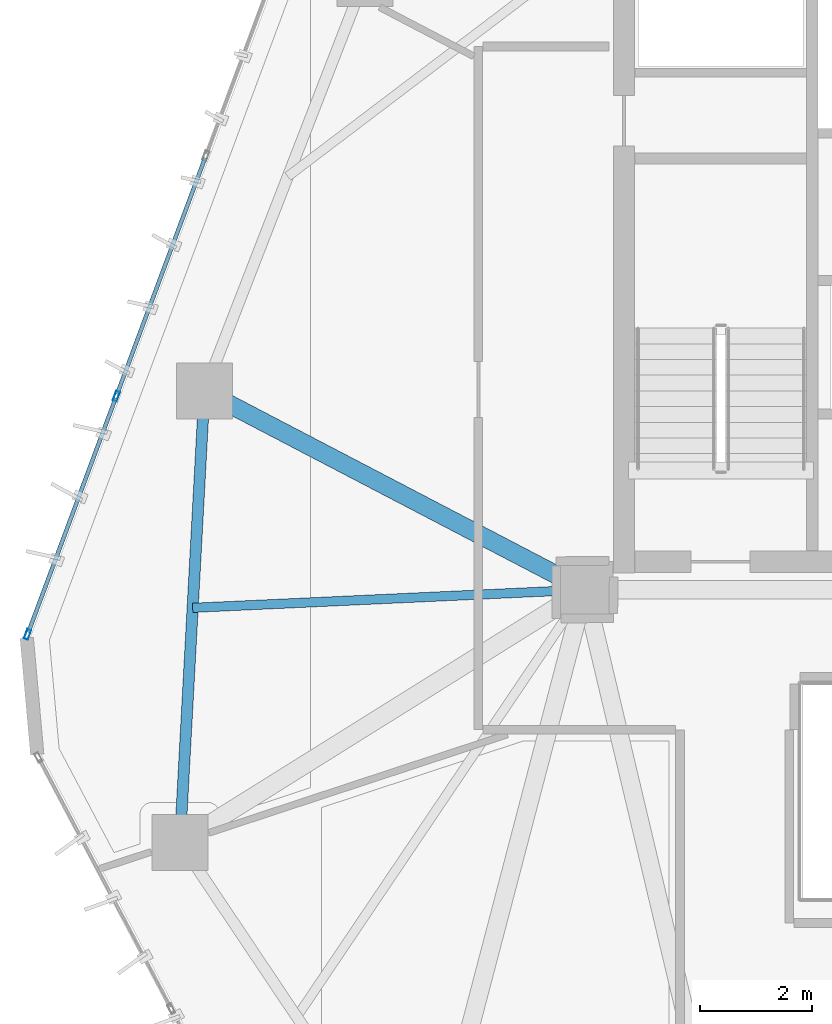
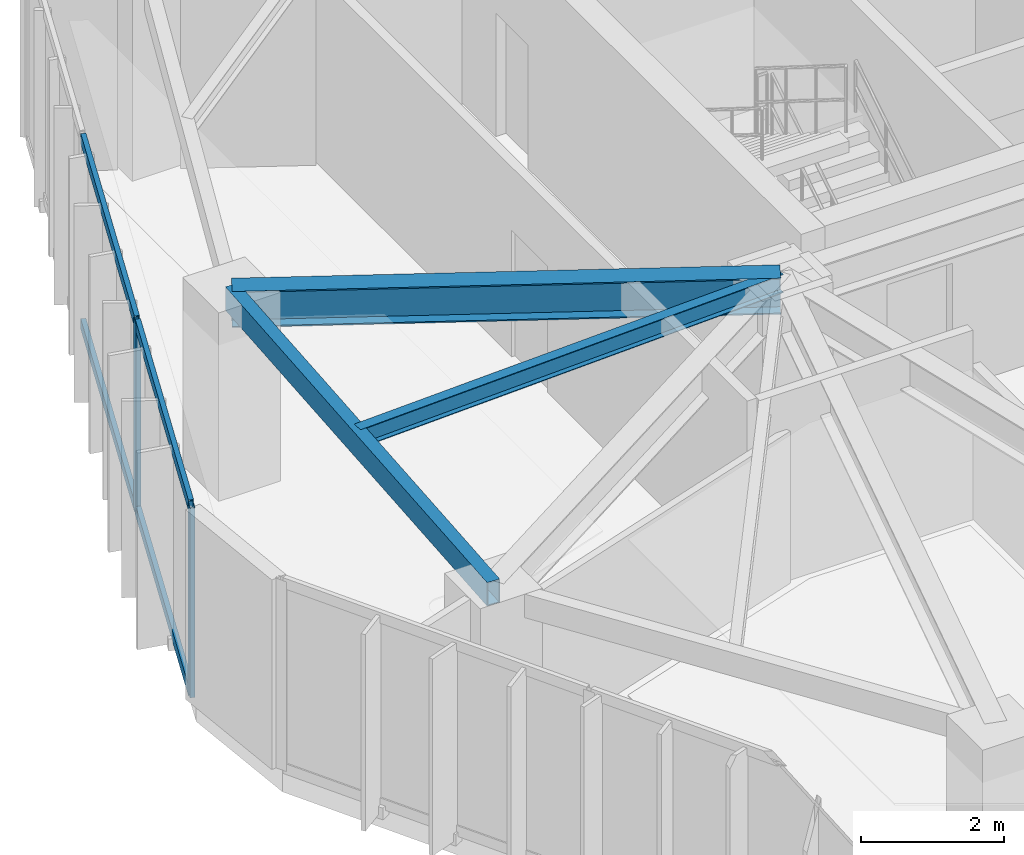
# One storey, part 8 of 18: 6 members, 3 beams, 1 element without a shape of its own.
"""IFC4 building model written with IfcOpenShell, lengths in metres."""

from ifc_helpers import new_model, si_unit, direction, frame, origin, origin_2d, place, context, subcontext, project, spatial, hollow_rectangle, i_section, extrude, source, transform, mapped, material, layer, layer_set, material_profile, profile_set, type_object, type_shapes, element, aggregate, save


model = new_model("IFC4")

# Units and contexts
model_context = context("Model", 3, precision=1e-05, world=origin(), true_north=direction((0.0, 1.0)))
body_context = subcontext(model_context, "Body", "Model", "MODEL_VIEW")
ifc_project = project(units=[si_unit("LENGTHUNIT", "METRE"), si_unit("AREAUNIT", "SQUARE_METRE"), si_unit("VOLUMEUNIT", "CUBIC_METRE"), si_unit("PLANEANGLEUNIT", "RADIAN"), si_unit("MASSUNIT", "GRAM", prefix="KILO")], contexts=[model_context])

# Site, building, storey
site_placement = place(None, origin())
site = spatial("IfcSite", under=ifc_project, at=site_placement, CompositionType="ELEMENT")
building_placement = place(site_placement, origin())
building = spatial("IfcBuilding", under=site, at=building_placement, Name="Talar Marvaseh", CompositionType="ELEMENT")
storey_placement = place(building_placement, frame((0.0, 0.0, 167.0)))
storey = spatial("IfcBuildingStorey", under=building, at=storey_placement, Name="L43", CompositionType="ELEMENT", Elevation=167.0)

# Beams
ifc_material_1 = material(Name="Steel S355", Category="steel")
ifc_material_profile_1 = material_profile(ifc_material_1, hollow_rectangle(XDim=0.199951171875, YDim=0.39990234375, WallThickness=0.013916015625, at=origin_2d()), Name="RHS400x200x14")
ifc_profile_set_1 = profile_set([ifc_material_profile_1], Name="Steel S355")
beam_type_1 = type_object("IfcBeamType", Name="Zone 3 Perimeter Spandrel Beam RHS400x200x14", PredefinedType="SPANDREL", material=ifc_profile_set_1)
beam_1_placement = place(storey_placement, frame((11.471923828125, 20.986083984375, 3.030029296875), z_axis=(0.054148078426, 0.998532916635, 0.0), x_axis=(-0.998532916635, 0.054148078426, 0.0)))
element("IfcBeam", 1, at=beam_1_placement, inside=storey, type_object=beam_type_1, Name="L43 Zone 3 Perimeter Spandrel Beam RHS400x200x14", PredefinedType="SPANDREL", context=body_context, shape_type="SweptSolid", body=[
    extrude(hollow_rectangle(XDim=0.199951171875, YDim=0.39990234375, WallThickness=0.013916015625, at=origin_2d()), origin(), (0.0, 0.0, 1.0), 8.070556640625),
])
ifc_material_profile_2 = material_profile(ifc_material_1, i_section(OverallWidth=0.324951171875, OverallDepth=0.615966796875, WebThickness=0.013916015625, FlangeThickness=0.021484375, at=origin_2d()), Name="W610x174")
ifc_profile_set_2 = profile_set([ifc_material_profile_2], Name="Steel S355")
beam_type_2 = type_object("IfcBeamType", Name="Zone 3 Radial Floor Girder W610x174", PredefinedType="BEAM", material=ifc_profile_set_2)
beam_2_placement = place(storey_placement, frame((11.908935546875, 29.044921875, 2.922119140625), z_axis=(0.886489360055, -0.462748975697, 0.0), x_axis=(0.462748975697, 0.886489360055, 0.0)))
element("IfcBeam", 2, at=beam_2_placement, inside=storey, type_object=beam_type_2, Name="L43 Zone 3 Radial Floor Girder W610x174", PredefinedType="BEAM", context=body_context, shape_type="SweptSolid", body=[
    extrude(i_section(OverallWidth=0.324951171875, OverallDepth=0.615966796875, WebThickness=0.013916015625, FlangeThickness=0.021484375, at=origin_2d()), origin(), (0.0, 0.0, 1.0), 7.66064453125),
])
ifc_material_profile_3 = material_profile(ifc_material_1, i_section(OverallWidth=0.166015625, OverallDepth=0.31298828125, WebThickness=0.006591796875, FlangeThickness=0.01123046875, at=origin_2d()), Name="W310x45")
ifc_profile_set_3 = profile_set([ifc_material_profile_3], Name="Steel S355")
beam_type_3 = type_object("IfcBeamType", Name="Zone 3 Secondary Floor Joist W310x45", PredefinedType="JOIST", material=ifc_profile_set_3)
beam_3_placement = place(storey_placement, frame((11.69921875, 25.1767578125, 3.073486328125), z_axis=(0.998935745755, 0.046123484826, 0.0), x_axis=(-0.046123484826, 0.998935745755, 0.0)))
element("IfcBeam", 3, at=beam_3_placement, inside=storey, type_object=beam_type_3, Name="L43 Zone 3 Secondary Floor Joist W310x45", PredefinedType="JOIST", context=body_context, shape_type="SweptSolid", body=[
    extrude(i_section(OverallWidth=0.166015625, OverallDepth=0.31298828125, WebThickness=0.006591796875, FlangeThickness=0.01123046875, at=origin_2d()), origin(), (0.0, 0.0, 1.0), 7.00830078125),
])

# Curtain wall, members
ifc_material_2 = material(Name="Architectural Aluminium", Category="aluminium")
ifc_layer = layer(ifc_material_2, 0.18994140625)
ifc_layer_set = layer_set([ifc_layer], Name="Architectural Aluminium")
curtain_wall_type = type_object("IfcCurtainWallType", Name="Unitised Solar Atelier Curtain Wall Z3", PredefinedType="NOTDEFINED", material=ifc_layer_set)
curtain_wall_placement = place(storey_placement, origin())
curtain_wall = element("IfcCurtainWall", 4, at=curtain_wall_placement, inside=storey, type_object=curtain_wall_type, Name="L43 Unitised Solar Atelier Curtain Wall Z3", PredefinedType="NOTDEFINED")
ifc_material_profile_4 = material_profile(ifc_material_2, hollow_rectangle(XDim=0.074951171875, YDim=0.179931640625, WallThickness=0.0048828125, at=origin_2d()), Name="RHS180x75x5")
ifc_profile_set_4 = profile_set([ifc_material_profile_4], Name="Architectural Aluminium")
member_type_1 = type_object("IfcMemberType", Name="Unitised Curtain Wall Standard Mullion RHS180x75x5", PredefinedType="MULLION", material=ifc_profile_set_4)
shared_shape_1 = source(origin(), body_context, "Body", "SweptSolid", [
    extrude(hollow_rectangle(XDim=0.074951171875, YDim=0.179931640625, WallThickness=0.0048828125, at=origin_2d()), origin(), (0.0, 0.0, 1.0), 3.22998046875),
])
type_shapes(member_type_1, [shared_shape_1])
member_1_placement = place(storey_placement, frame((8.752685546875, 24.701904296875, 0.0), z_axis=(0.0, 0.0, 1.0), x_axis=(-0.937086552554, 0.349097111162, 0.0)))
member_1 = element("IfcMember", 5, at=member_1_placement, type_object=member_type_1, Name="CW-Z3 mullion 1", PredefinedType="MULLION", context=body_context, shape_type="MappedRepresentation", body=[
    mapped(shared_shape_1, transform((0.0, 0.0, 0.0), x_axis=(1.0, 0.0, 0.0), y_axis=(0.0, 1.0, 0.0), z_axis=(0.0, 0.0, 1.0), scale=1.0)),
])
member_2_placement = place(storey_placement, frame((10.33740234375, 28.9560546875, 0.0), z_axis=(0.0, 0.0, 1.0), x_axis=(-0.937086552554, 0.349097111162, 0.0)))
member_2 = element("IfcMember", 6, at=member_2_placement, type_object=member_type_1, Name="CW-Z3 mullion 2", PredefinedType="MULLION", context=body_context, shape_type="MappedRepresentation", body=[
    mapped(shared_shape_1, transform((0.0, 0.0, 0.0), x_axis=(1.0, 0.0, 0.0), y_axis=(0.0, 1.0, 0.0), z_axis=(0.0, 0.0, 1.0), scale=1.0)),
])
ifc_material_profile_5 = material_profile(ifc_material_2, hollow_rectangle(XDim=0.074951171875, YDim=0.179931640625, WallThickness=0.0048828125, at=origin_2d()), Name="RHS180x75x5")
ifc_profile_set_5 = profile_set([ifc_material_profile_5], Name="Architectural Aluminium")
member_type_2 = type_object("IfcMemberType", Name="Unitised Curtain Wall Transom RHS180x75x5", PredefinedType="USERDEFINED", material=ifc_profile_set_5)
shared_shape_2 = source(origin(), body_context, "Body", "SweptSolid", [
    extrude(hollow_rectangle(XDim=0.074951171875, YDim=0.179931640625, WallThickness=0.0048828125, at=origin_2d()), origin(), (0.0, 0.0, 1.0), 4.464599609375),
])
member_3_placement = place(storey_placement, frame((8.765869140625, 24.737060546875, 0.03759765625), z_axis=(0.349091134167, 0.93708877917, 0.0), x_axis=(-0.93708877917, 0.349091134167, 0.0)))
member_3 = element("IfcMember", 7, at=member_3_placement, type_object=member_type_2, Name="CW-Z3 transom 1.1", ObjectType="TRANSOM", PredefinedType="USERDEFINED", context=body_context, shape_type="MappedRepresentation", body=[
    mapped(shared_shape_2, transform((0.0, 0.0, 0.0), x_axis=(1.0, 0.0, 0.0), y_axis=(0.0, 1.0, 0.0), z_axis=(0.0, 0.0, 1.0), scale=1.0)),
])
member_4_placement = place(storey_placement, frame((8.765869140625, 24.737060546875, 3.1923828125), z_axis=(0.349091134167, 0.93708877917, 0.0), x_axis=(-0.93708877917, 0.349091134167, 0.0)))
member_4 = element("IfcMember", 8, at=member_4_placement, type_object=member_type_2, Name="CW-Z3 transom 1.2", ObjectType="TRANSOM", PredefinedType="USERDEFINED", context=body_context, shape_type="MappedRepresentation", body=[
    mapped(shared_shape_2, transform((0.0, 0.0, 0.0), x_axis=(1.0, 0.0, 0.0), y_axis=(0.0, 1.0, 0.0), z_axis=(0.0, 0.0, 1.0), scale=1.0)),
])
shared_shape_3 = source(origin(), body_context, "Body", "SweptSolid", [
    extrude(hollow_rectangle(XDim=0.074951171875, YDim=0.179931640625, WallThickness=0.0048828125, at=origin_2d()), origin(), (0.0, 0.0, 1.0), 4.502197265625),
])
type_shapes(member_type_2, [shared_shape_2, shared_shape_3])
member_5_placement = place(storey_placement, frame((10.3505859375, 28.9912109375, 0.03759765625), z_axis=(0.349108089501, 0.937082462671, 0.0), x_axis=(-0.937082462671, 0.349108089501, 0.0)))
member_5 = element("IfcMember", 9, at=member_5_placement, type_object=member_type_2, Name="CW-Z3 transom 2.1", ObjectType="TRANSOM", PredefinedType="USERDEFINED", context=body_context, shape_type="MappedRepresentation", body=[
    mapped(shared_shape_3, transform((0.0, 0.0, 0.0), x_axis=(1.0, 0.0, 0.0), y_axis=(0.0, 1.0, 0.0), z_axis=(0.0, 0.0, 1.0), scale=1.0)),
])
member_6_placement = place(storey_placement, frame((10.3505859375, 28.9912109375, 3.1923828125), z_axis=(0.349108089501, 0.937082462671, 0.0), x_axis=(-0.937082462671, 0.349108089501, 0.0)))
member_6 = element("IfcMember", 10, at=member_6_placement, type_object=member_type_2, Name="CW-Z3 transom 2.2", ObjectType="TRANSOM", PredefinedType="USERDEFINED", context=body_context, shape_type="MappedRepresentation", body=[
    mapped(shared_shape_3, transform((0.0, 0.0, 0.0), x_axis=(1.0, 0.0, 0.0), y_axis=(0.0, 1.0, 0.0), z_axis=(0.0, 0.0, 1.0), scale=1.0)),
])
aggregate(curtain_wall, [member_1, member_2, member_3, member_4, member_5, member_6])

save(model, "model.ifc")
